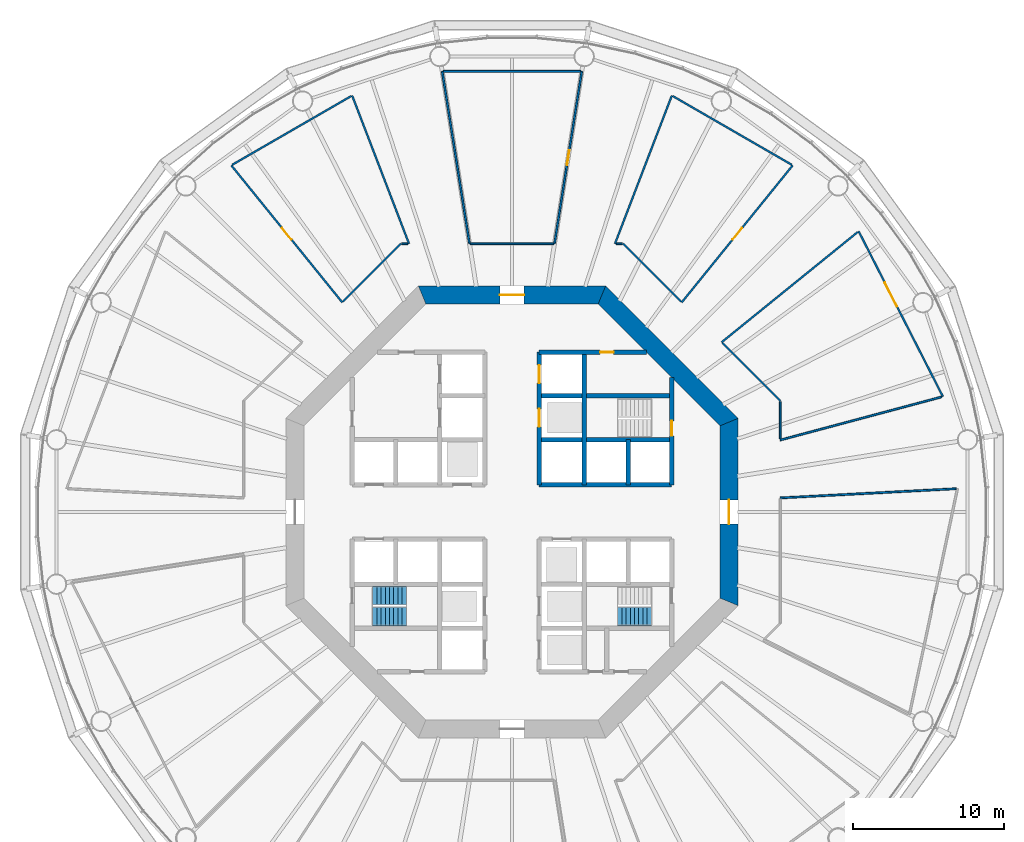
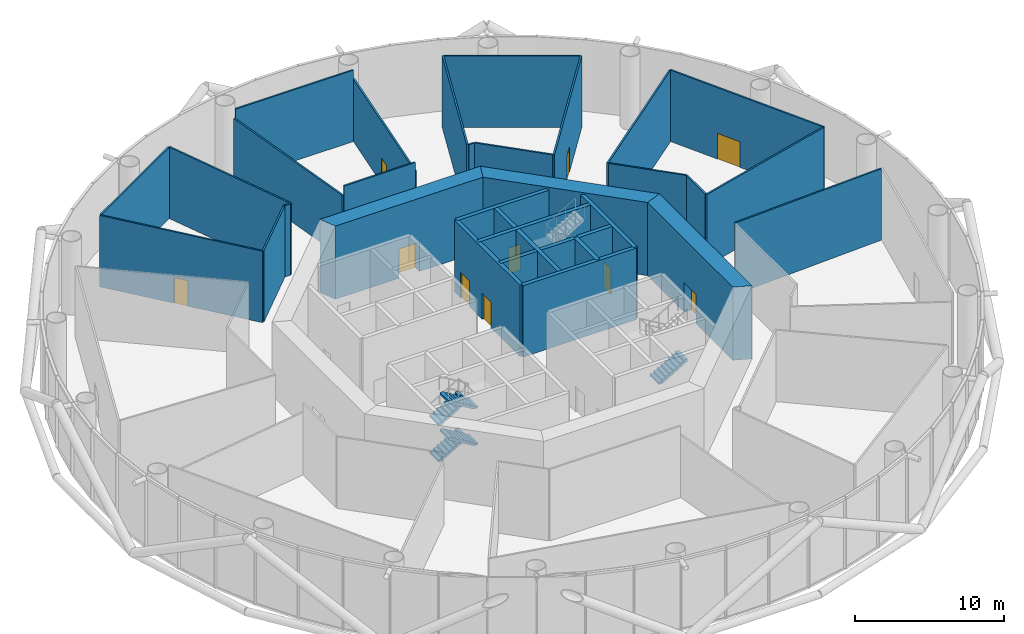
# One storey, part 5 of 14: 31 walls, 10 doors, 5 stair flights, 10 openings, 2 elements without a shape of their own.
"""IFC4 building model written with IfcOpenShell, lengths in metres."""

from ifc_helpers import new_model, si_unit, direction, frame, frame_2d, origin, place, context, subcontext, project, spatial, polyline, rectangle, outline, extrude, material, layer, layer_set, type_object, element, fill, aggregate, save


model = new_model("IFC4")

# Units and contexts
model_context = context("Model", 3, precision=1e-05, world=origin(), true_north=direction((0.0, 1.0)))
body_context = subcontext(model_context, "Body", "Model", "MODEL_VIEW")
ifc_project = project(units=[si_unit("LENGTHUNIT", "METRE"), si_unit("AREAUNIT", "SQUARE_METRE"), si_unit("VOLUMEUNIT", "CUBIC_METRE"), si_unit("PLANEANGLEUNIT", "RADIAN"), si_unit("MASSUNIT", "GRAM", prefix="KILO")], contexts=[model_context])

# Site, building, storey
site_placement = place(None, origin())
site = spatial("IfcSite", under=ifc_project, at=site_placement, CompositionType="ELEMENT")
building_placement = place(site_placement, origin())
building = spatial("IfcBuilding", under=site, at=building_placement, Name="Entoto Ring Tower", CompositionType="ELEMENT")
storey_placement = place(building_placement, frame((0.0, 0.0, 132.0)))
storey = spatial("IfcBuildingStorey", under=building, at=storey_placement, Name="L30", CompositionType="ELEMENT", Elevation=132.0)

# Wall, opening, door
ifc_material_1 = material(Name="Concrete C40/50", Category="concrete")
ifc_layer_1 = layer(ifc_material_1, 0.300048828125)
ifc_layer_set_1 = layer_set([ifc_layer_1], Name="Concrete C40/50")
wall_type_1 = type_object("IfcWallType", Name="Core enclosure wall 300 mm reinforced concrete", PredefinedType="SOLIDWALL", material=ifc_layer_set_1)
wall_1_placement = place(storey_placement, frame((100.60009765625, 81.800048828125, 0.0), z_axis=(0.0, 0.0, 1.0), x_axis=(0.0, 1.0, 0.0)))
wall_1 = element("IfcWall", 1, at=wall_1_placement, inside=storey, type_object=wall_type_1, Name="wall-L30-002", PredefinedType="SOLIDWALL", context=body_context, shape_type="SweptSolid", body=[
    extrude(rectangle(XDim=7.115966796875, YDim=0.300048828125, at=frame_2d((3.55810546875, 0.0))), origin(), (0.0, 0.0, 1.0), 5.85009765625),
])
opening_1_placement = place(wall_1_placement, frame((3.25, 0.0, 0.0)))
opening_1 = element("IfcOpeningElement", 2, at=opening_1_placement, cuts=wall_1, Name="Opening K-52", PredefinedType="OPENING", context=body_context, shape_type="SweptSolid", body=[
    extrude(rectangle(XDim=1.0, YDim=2.10009765625, at=frame_2d((0.5, 1.050048828125))), frame((0.0, 0.16015625, 0.0), z_axis=(0.0, -1.0, 0.0), x_axis=(1.0, 0.0, 0.0)), (0.0, 0.0, 1.0), 0.320068359375),
])
ifc_material_2 = material(Name="Steel door leaf, fire rated", Category="steel")
ifc_layer_2 = layer(ifc_material_2, 0.050048828125)
ifc_layer_set_2 = layer_set([ifc_layer_2], Name="Steel door leaf, fire rated")
door_type_1 = type_object("IfcDoorType", Name="Fire door FD60 1000 x 2100 single leaf", OperationType="NOTDEFINED", PredefinedType="DOOR", material=ifc_layer_set_2)
door_1_placement = place(opening_1_placement, origin())
door_1 = element("IfcDoor", 3, at=door_1_placement, inside=storey, type_object=door_type_1, Name="Door K-52", OperationType="SINGLE_SWING_LEFT", OverallHeight=2.10009765625, OverallWidth=1.0, PredefinedType="DOOR", context=body_context, shape_type="SweptSolid", body=[
    extrude(rectangle(XDim=1.0, YDim=2.10009765625, at=frame_2d((0.5, 1.050048828125))), frame((0.0, 0.02490234375, 0.0), z_axis=(0.0, -1.0, 0.0), x_axis=(1.0, 0.0, 0.0)), (0.0, 0.0, 1.0), 0.050048828125),
])
fill(opening_1, door_1)

# Walls
wall_2_placement = place(storey_placement, frame((97.699951171875, 81.800048828125, 0.0), z_axis=(0.0, 0.0, 1.0), x_axis=(0.0, 1.0, 0.0)))
element("IfcWall", 4, at=wall_2_placement, inside=storey, type_object=wall_type_1, Name="wall-L30-004", PredefinedType="SOLIDWALL", context=body_context, shape_type="SweptSolid", body=[
    extrude(rectangle(XDim=3.0, YDim=0.300048828125, at=frame_2d((1.5, 0.0))), origin(), (0.0, 0.0, 1.0), 5.85009765625),
])
wall_3_placement = place(storey_placement, frame((94.800048828125, 81.800048828125, 0.0), z_axis=(0.0, 0.0, 1.0), x_axis=(0.0, 1.0, 0.0)))
element("IfcWall", 5, at=wall_3_placement, inside=storey, type_object=wall_type_1, Name="wall-L30-007", PredefinedType="SOLIDWALL", context=body_context, shape_type="SweptSolid", body=[
    extrude(rectangle(XDim=8.800048828125, YDim=0.300048828125, at=frame_2d((4.39990234375, 0.0))), origin(), (0.0, 0.0, 1.0), 5.85009765625),
])

# Wall, openings, doors
wall_4_placement = place(storey_placement, frame((91.800048828125, 81.800048828125, 0.0), z_axis=(0.0, 0.0, 1.0), x_axis=(0.0, 1.0, 0.0)))
wall_4 = element("IfcWall", 6, at=wall_4_placement, inside=storey, type_object=wall_type_1, Name="wall-L30-009", PredefinedType="SOLIDWALL", context=body_context, shape_type="SweptSolid", body=[
    extrude(rectangle(XDim=8.800048828125, YDim=0.300048828125, at=frame_2d((4.39990234375, 0.0))), origin(), (0.0, 0.0, 1.0), 5.85009765625),
])
opening_2_placement = place(wall_4_placement, frame((3.85009765625, 0.0, 0.0)))
opening_2 = element("IfcOpeningElement", 7, at=opening_2_placement, cuts=wall_4, Name="Opening LD", PredefinedType="OPENING", context=body_context, shape_type="SweptSolid", body=[
    extrude(rectangle(XDim=1.199951171875, YDim=2.10009765625, at=frame_2d((0.60009765625, 1.050048828125))), frame((0.0, 0.16015625, 0.0), z_axis=(0.0, -1.0, 0.0), x_axis=(1.0, 0.0, 0.0)), (0.0, 0.0, 1.0), 0.320068359375),
])
opening_3_placement = place(wall_4_placement, frame((6.75, 0.0, 0.0)))
opening_3 = element("IfcOpeningElement", 8, at=opening_3_placement, cuts=wall_4, Name="Opening LD", PredefinedType="OPENING", context=body_context, shape_type="SweptSolid", body=[
    extrude(rectangle(XDim=1.199951171875, YDim=2.10009765625, at=frame_2d((0.60009765625, 1.050048828125))), frame((0.0, 0.16015625, 0.0), z_axis=(0.0, -1.0, 0.0), x_axis=(1.0, 0.0, 0.0)), (0.0, 0.0, 1.0), 0.320068359375),
])
ifc_material_3 = material(Name="Steel and glass door leaf", Category="steel")
ifc_layer_3 = layer(ifc_material_3, 0.050048828125)
ifc_layer_set_3 = layer_set([ifc_layer_3], Name="Steel and glass door leaf")
door_type_2 = type_object("IfcDoorType", Name="Landing door 1200 x 2100 sliding", OperationType="DOUBLE_DOOR_SLIDING", PredefinedType="DOOR", material=ifc_layer_set_3)
door_2_placement = place(opening_2_placement, origin())
door_2 = element("IfcDoor", 9, at=door_2_placement, inside=storey, type_object=door_type_2, Name="Landing door LB1-MR", OperationType="SLIDING_TO_RIGHT", OverallHeight=2.10009765625, OverallWidth=1.199951171875, PredefinedType="DOOR", context=body_context, shape_type="SweptSolid", body=[
    extrude(rectangle(XDim=1.199951171875, YDim=2.10009765625, at=frame_2d((0.60009765625, 1.050048828125))), frame((0.0, 0.02490234375, 0.0), z_axis=(0.0, -1.0, 0.0), x_axis=(1.0, 0.0, 0.0)), (0.0, 0.0, 1.0), 0.050048828125),
])
fill(opening_2, door_2)
door_3_placement = place(opening_3_placement, origin())
door_3 = element("IfcDoor", 10, at=door_3_placement, inside=storey, type_object=door_type_2, Name="Landing door SH3", OperationType="SLIDING_TO_RIGHT", OverallHeight=2.10009765625, OverallWidth=1.199951171875, PredefinedType="DOOR", context=body_context, shape_type="SweptSolid", body=[
    extrude(rectangle(XDim=1.199951171875, YDim=2.10009765625, at=frame_2d((0.60009765625, 1.050048828125))), frame((0.0, 0.02490234375, 0.0), z_axis=(0.0, -1.0, 0.0), x_axis=(1.0, 0.0, 0.0)), (0.0, 0.0, 1.0), 0.050048828125),
])
fill(opening_3, door_3)

# Walls
for number, where, z_axis, x_axis, name in (
    (11, (91.800048828125, 81.800048828125, 0.0), (0.0, 0.0, 1.0), (1.0, 0.0, 0.0), "wall-L30-027"),
    (12, (91.800048828125, 84.800048828125, 0.0), (0.0, 0.0, 1.0), (1.0, 0.0, 0.0), "wall-L30-029"),
    (13, (91.800048828125, 87.699951171875, 0.0), (0.0, 0.0, 1.0), (1.0, 0.0, 0.0), "wall-L30-031"),
):
    element("IfcWall", number, at=place(storey_placement, frame(where, z_axis=z_axis, x_axis=x_axis)), inside=storey, type_object=wall_type_1, Name=name, PredefinedType="SOLIDWALL", context=body_context, shape_type="SweptSolid", body=[
        extrude(rectangle(XDim=8.800048828125, YDim=0.300048828125, at=frame_2d((4.39990234375, 0.0))), origin(), (0.0, 0.0, 1.0), 5.85009765625),
    ])

# Wall, opening, door
wall_5_placement = place(storey_placement, frame((91.800048828125, 90.60009765625, 0.0), z_axis=(0.0, 0.0, 1.0), x_axis=(1.0, 0.0, 0.0)))
wall_5 = element("IfcWall", 14, at=wall_5_placement, inside=storey, type_object=wall_type_1, Name="wall-L30-033", PredefinedType="SOLIDWALL", context=body_context, shape_type="SweptSolid", body=[
    extrude(rectangle(XDim=7.115966796875, YDim=0.300048828125, at=frame_2d((3.55810546875, 0.0))), origin(), (0.0, 0.0, 1.0), 5.85009765625),
])
opening_4_placement = place(wall_5_placement, frame((4.050048828125, 0.0, 0.0)))
opening_4 = element("IfcOpeningElement", 15, at=opening_4_placement, cuts=wall_5, Name="Opening K-18", PredefinedType="OPENING", context=body_context, shape_type="SweptSolid", body=[
    extrude(rectangle(XDim=0.89990234375, YDim=2.10009765625, at=frame_2d((0.449951171875, 1.050048828125))), frame((0.0, 0.16015625, 0.0), z_axis=(0.0, -1.0, 0.0), x_axis=(1.0, 0.0, 0.0)), (0.0, 0.0, 1.0), 0.320068359375),
])
ifc_material_4 = material(Name="Steel door leaf, fire rated", Category="steel")
ifc_layer_4 = layer(ifc_material_4, 0.050048828125)
ifc_layer_set_4 = layer_set([ifc_layer_4], Name="Steel door leaf, fire rated")
door_type_3 = type_object("IfcDoorType", Name="Core door 900 x 2100 single leaf", OperationType="NOTDEFINED", PredefinedType="DOOR", material=ifc_layer_set_4)
door_4_placement = place(opening_4_placement, frame((0.89990234375, 0.0, 0.0), z_axis=(0.0, 0.0, 1.0), x_axis=(-1.0, 0.0, 0.0)))
door_4 = element("IfcDoor", 16, at=door_4_placement, inside=storey, type_object=door_type_3, Name="Door K-18", OperationType="SINGLE_SWING_LEFT", OverallHeight=2.10009765625, OverallWidth=0.89990234375, PredefinedType="DOOR", context=body_context, shape_type="SweptSolid", body=[
    extrude(rectangle(XDim=0.89990234375, YDim=2.10009765625, at=frame_2d((0.449951171875, 1.050048828125))), frame((0.0, 0.02490234375, 0.0), z_axis=(0.0, -1.0, 0.0), x_axis=(1.0, 0.0, 0.0)), (0.0, 0.0, 1.0), 0.050048828125),
])
fill(opening_4, door_4)

ifc_material_5 = material(Name="Concrete C60/75", Category="concrete")
ifc_layer_5 = layer(ifc_material_5, 1.199951171875)
ifc_layer_set_5 = layer_set([ifc_layer_5], Name="Concrete C60/75")
wall_type_2 = type_object("IfcWallType", Name="Core shear wall 1200 mm reinforced concrete C60/75", PredefinedType="SHEAR", material=ifc_layer_set_5)
wall_6_placement = place(storey_placement, frame((104.39990234375, 74.035400390625, 0.0), z_axis=(0.0, 0.0, 1.0), x_axis=(0.0, 1.0, 0.0)))
wall_6 = element("IfcWall", 17, at=wall_6_placement, inside=storey, type_object=wall_type_2, Name="wall-L30-core-0", PredefinedType="SHEAR", context=body_context, shape_type="SweptSolid", body=[
    extrude(outline(polyline([(-0.24853515625, -0.60009765625), (12.177734375, -0.60009765625), (11.6806640625, 0.60009765625), (0.24853515625, 0.60009765625), (-0.24853515625, -0.60009765625)])), origin(), (0.0, 0.0, 1.0), 6.0),
])
opening_5_placement = place(wall_6_placement, frame((5.164794921875, 0.0, 0.0)))
opening_5 = element("IfcOpeningElement", 18, at=opening_5_placement, cuts=wall_6, Name="Opening K-01", PredefinedType="OPENING", context=body_context, shape_type="SweptSolid", body=[
    extrude(rectangle(XDim=1.60009765625, YDim=2.39990234375, at=frame_2d((0.800048828125, 1.199951171875))), frame((0.0, 0.60986328125, 0.0), z_axis=(0.0, -1.0, 0.0), x_axis=(1.0, 0.0, 0.0)), (0.0, 0.0, 1.0), 1.219970703125),
])
ifc_material_6 = material(Name="Steel door leaf, fire rated", Category="steel")
ifc_layer_6 = layer(ifc_material_6, 0.050048828125)
ifc_layer_set_6 = layer_set([ifc_layer_6], Name="Steel door leaf, fire rated")
door_type_4 = type_object("IfcDoorType", Name="Entrance door FD60 1600 x 2400 double leaf", OperationType="DOUBLE_DOOR_SINGLE_SWING", PredefinedType="DOOR", material=ifc_layer_set_6)
door_5_placement = place(opening_5_placement, origin())
door_5 = element("IfcDoor", 19, at=door_5_placement, inside=storey, type_object=door_type_4, Name="Entrance door K-01", OperationType="DOUBLE_DOOR_SINGLE_SWING", OverallHeight=2.39990234375, OverallWidth=1.60009765625, PredefinedType="DOOR", context=body_context, shape_type="SweptSolid", body=[
    extrude(rectangle(XDim=1.60009765625, YDim=2.39990234375, at=frame_2d((0.800048828125, 1.199951171875))), frame((0.0, 0.02490234375, 0.0), z_axis=(0.0, -1.0, 0.0), x_axis=(1.0, 0.0, 0.0)), (0.0, 0.0, 1.0), 0.050048828125),
])
fill(opening_5, door_5)

# Wall
wall_7_placement = place(storey_placement, frame((104.39990234375, 85.964599609375, 0.0), z_axis=(0.0, 0.0, 1.0), x_axis=(-0.707106781187, 0.707106781187, 0.0)))
element("IfcWall", 20, at=wall_7_placement, inside=storey, type_object=wall_type_2, Name="wall-L30-core-1", PredefinedType="SHEAR", context=body_context, shape_type="SweptSolid", body=[
    extrude(outline(polyline([(-0.24853515625, -0.60009765625), (12.177734375, -0.60009765625), (11.6806640625, 0.60009765625), (0.24853515625, 0.60009765625), (-0.24853515625, -0.60009765625)])), origin(), (0.0, 0.0, 1.0), 6.0),
])

# Wall, opening, door
wall_8_placement = place(storey_placement, frame((95.964599609375, 94.39990234375, 0.0), z_axis=(0.0, 0.0, 1.0), x_axis=(-1.0, 0.0, 0.0)))
wall_8 = element("IfcWall", 21, at=wall_8_placement, inside=storey, type_object=wall_type_2, Name="wall-L30-core-2", PredefinedType="SHEAR", context=body_context, shape_type="SweptSolid", body=[
    extrude(outline(polyline([(-0.24853515625, -0.60009765625), (12.177734375, -0.60009765625), (11.6806640625, 0.60009765625), (0.24853515625, 0.60009765625), (-0.24853515625, -0.60009765625)])), origin(), (0.0, 0.0, 1.0), 6.0),
])
opening_6_placement = place(wall_8_placement, frame((5.164794921875, 0.0, 0.0)))
opening_6 = element("IfcOpeningElement", 22, at=opening_6_placement, cuts=wall_8, Name="Opening K-02", PredefinedType="OPENING", context=body_context, shape_type="SweptSolid", body=[
    extrude(rectangle(XDim=1.60009765625, YDim=2.39990234375, at=frame_2d((0.800048828125, 1.199951171875))), frame((0.0, 0.60986328125, 0.0), z_axis=(0.0, -1.0, 0.0), x_axis=(1.0, 0.0, 0.0)), (0.0, 0.0, 1.0), 1.219970703125),
])
door_6_placement = place(opening_6_placement, origin())
door_6 = element("IfcDoor", 23, at=door_6_placement, inside=storey, type_object=door_type_4, Name="Entrance door K-02", OperationType="DOUBLE_DOOR_SINGLE_SWING", OverallHeight=2.39990234375, OverallWidth=1.60009765625, PredefinedType="DOOR", context=body_context, shape_type="SweptSolid", body=[
    extrude(rectangle(XDim=1.60009765625, YDim=2.39990234375, at=frame_2d((0.800048828125, 1.199951171875))), frame((0.0, 0.02490234375, 0.0), z_axis=(0.0, -1.0, 0.0), x_axis=(1.0, 0.0, 0.0)), (0.0, 0.0, 1.0), 0.050048828125),
])
fill(opening_6, door_6)

ifc_material_7 = material(Name="Fire-resisting plasterboard on steel studs", Category="steel")
ifc_layer_7 = layer(ifc_material_7, 0.125)
ifc_layer_set_7 = layer_set([ifc_layer_7], Name="Fire-resisting plasterboard on steel studs")
wall_type_3 = type_object("IfcWallType", Name="Corridor wall 125 mm one-hour plasterboard on steel studs", PredefinedType="PARTITIONING", material=ifc_layer_set_7)
wall_9_placement = place(storey_placement, frame((118.59130859375, 87.660888671875, 0.0), z_axis=(0.0, 0.0, 1.0), x_axis=(-0.453984315662, 0.891009675106, 0.0)))
wall_9 = element("IfcWall", 24, at=wall_9_placement, inside=storey, type_object=wall_type_3, Name="partition-L30-006", PredefinedType="PARTITIONING", context=body_context, shape_type="SweptSolid", body=[
    extrude(rectangle(XDim=12.30859375, YDim=0.125, at=frame_2d((6.154296875, 0.0))), origin(), (0.0, 0.0, 1.0), 5.85009765625),
])
opening_7_placement = place(wall_9_placement, frame((6.6953125, 0.0, 0.0)))
opening_7 = element("IfcOpeningElement", 25, at=opening_7_placement, cuts=wall_9, Name="Opening A13-D01", PredefinedType="OPENING", context=body_context, shape_type="SweptSolid", body=[
    extrude(rectangle(XDim=1.800048828125, YDim=2.10009765625, at=frame_2d((0.89990234375, 1.050048828125))), frame((0.0, 0.072509765625, 0.0), z_axis=(0.0, -1.0, 0.0), x_axis=(1.0, 0.0, 0.0)), (0.0, 0.0, 1.0), 0.14501953125),
])
ifc_material_8 = material(Name="Fire-resisting timber door set", Category="wood")
door_type_5 = type_object("IfcDoorType", Name="Door 1800 x 2100 double leaf FD30S fire door", OperationType="DOUBLE_DOOR_SINGLE_SWING", PredefinedType="DOOR", material=ifc_material_8)
door_7_placement = place(opening_7_placement, origin())
door_7 = element("IfcDoor", 26, at=door_7_placement, inside=storey, type_object=door_type_5, Name="Door A13-D01", OperationType="DOUBLE_DOOR_SINGLE_SWING", OverallHeight=2.10009765625, OverallWidth=1.800048828125, PredefinedType="DOOR", context=body_context, shape_type="SweptSolid", body=[
    extrude(rectangle(XDim=1.800048828125, YDim=2.10009765625, at=frame_2d((0.89990234375, 1.050048828125))), frame((0.0, 0.02490234375, 0.0), z_axis=(0.0, -1.0, 0.0), x_axis=(1.0, 0.0, 0.0)), (0.0, 0.0, 1.0), 0.050048828125),
])
fill(opening_7, door_7)

# Wall
wall_10_placement = place(storey_placement, frame((107.800048828125, 80.932861328125, 0.0), z_axis=(0.0, 0.0, 1.0), x_axis=(0.998629396958, 0.052338585487, 0.0)))
element("IfcWall", 27, at=wall_10_placement, inside=storey, type_object=wall_type_3, Name="partition-L30-009", PredefinedType="PARTITIONING", context=body_context, shape_type="SweptSolid", body=[
    extrude(rectangle(XDim=11.6943359375, YDim=0.125, at=frame_2d((5.84716796875, 0.0))), origin(), (0.0, 0.0, 1.0), 5.85009765625),
])

# Wall, opening, door
wall_11_placement = place(storey_placement, frame((78.736328125, 93.909423828125, 0.0), z_axis=(0.0, 0.0, 1.0), x_axis=(-0.62932485855, 0.777142343725, 0.0)))
wall_11 = element("IfcWall", 28, at=wall_11_placement, inside=storey, type_object=wall_type_3, Name="partition-L30-011", PredefinedType="PARTITIONING", context=body_context, shape_type="SweptSolid", body=[
    extrude(rectangle(XDim=11.701904296875, YDim=0.125, at=frame_2d((5.85107421875, 0.0))), origin(), (0.0, 0.0, 1.0), 5.85009765625),
])
opening_8_placement = place(wall_11_placement, frame((5.35107421875, 0.0, 0.0)))
opening_8 = element("IfcOpeningElement", 29, at=opening_8_placement, cuts=wall_11, Name="Opening A13-D04", PredefinedType="OPENING", context=body_context, shape_type="SweptSolid", body=[
    extrude(rectangle(XDim=1.0, YDim=2.10009765625, at=frame_2d((0.5, 1.050048828125))), frame((0.0, 0.072509765625, 0.0), z_axis=(0.0, -1.0, 0.0), x_axis=(1.0, 0.0, 0.0)), (0.0, 0.0, 1.0), 0.14501953125),
])
ifc_material_9 = material(Name="Fire-resisting timber door set", Category="wood")
door_type_6 = type_object("IfcDoorType", Name="Door 1000 x 2100 single leaf FD30S fire door", OperationType="NOTDEFINED", PredefinedType="DOOR", material=ifc_material_9)
door_8_placement = place(opening_8_placement, origin())
door_8 = element("IfcDoor", 30, at=door_8_placement, inside=storey, type_object=door_type_6, Name="Door A13-D04", OperationType="SINGLE_SWING_RIGHT", OverallHeight=2.10009765625, OverallWidth=1.0, PredefinedType="DOOR", context=body_context, shape_type="SweptSolid", body=[
    extrude(rectangle(XDim=1.0, YDim=2.10009765625, at=frame_2d((0.5, 1.050048828125))), frame((0.0, 0.02490234375, 0.0), z_axis=(0.0, -1.0, 0.0), x_axis=(1.0, 0.0, 0.0)), (0.0, 0.0, 1.0), 0.050048828125),
])
fill(opening_8, door_8)

wall_12_placement = place(storey_placement, frame((101.263671875, 93.909423828125, 0.0), z_axis=(0.0, 0.0, 1.0), x_axis=(0.62932485855, 0.777142343725, 0.0)))
wall_12 = element("IfcWall", 31, at=wall_12_placement, inside=storey, type_object=wall_type_3, Name="partition-L30-012", PredefinedType="PARTITIONING", context=body_context, shape_type="SweptSolid", body=[
    extrude(rectangle(XDim=11.701904296875, YDim=0.125, at=frame_2d((5.85107421875, 0.0))), origin(), (0.0, 0.0, 1.0), 5.85009765625),
])
opening_9_placement = place(wall_12_placement, frame((5.35107421875, 0.0, 0.0)))
opening_9 = element("IfcOpeningElement", 32, at=opening_9_placement, cuts=wall_12, Name="Opening A13-D02", PredefinedType="OPENING", context=body_context, shape_type="SweptSolid", body=[
    extrude(rectangle(XDim=1.0, YDim=2.10009765625, at=frame_2d((0.5, 1.050048828125))), frame((0.0, 0.072509765625, 0.0), z_axis=(0.0, -1.0, 0.0), x_axis=(1.0, 0.0, 0.0)), (0.0, 0.0, 1.0), 0.14501953125),
])
door_9_placement = place(opening_9_placement, frame((1.0, 0.0, 0.0), z_axis=(0.0, 0.0, 1.0), x_axis=(-1.0, 0.0, 0.0)))
door_9 = element("IfcDoor", 33, at=door_9_placement, inside=storey, type_object=door_type_6, Name="Door A13-D02", OperationType="SINGLE_SWING_LEFT", OverallHeight=2.10009765625, OverallWidth=1.0, PredefinedType="DOOR", context=body_context, shape_type="SweptSolid", body=[
    extrude(rectangle(XDim=1.0, YDim=2.10009765625, at=frame_2d((0.5, 1.050048828125))), frame((0.0, 0.02490234375, 0.0), z_axis=(0.0, -1.0, 0.0), x_axis=(1.0, 0.0, 0.0)), (0.0, 0.0, 1.0), 0.050048828125),
])
fill(opening_9, door_9)

# Walls
wall_13_placement = place(storey_placement, frame((103.909423828125, 91.263671875, 0.0), z_axis=(0.0, 0.0, 1.0), x_axis=(0.777148512501, 0.62931724076, 0.0)))
element("IfcWall", 34, at=wall_13_placement, inside=storey, type_object=wall_type_3, Name="partition-L30-013", PredefinedType="PARTITIONING", context=body_context, shape_type="SweptSolid", body=[
    extrude(rectangle(XDim=11.624755859375, YDim=0.125, at=frame_2d((5.8125, 0.0))), origin(), (0.0, 0.0, 1.0), 5.85009765625),
])
wall_14_placement = place(storey_placement, frame((107.800048828125, 84.76953125, 0.0), z_axis=(0.0, 0.0, 1.0), x_axis=(0.965926737816, 0.258815643215, 0.0)))
element("IfcWall", 35, at=wall_14_placement, inside=storey, type_object=wall_type_3, Name="partition-L30-020", PredefinedType="PARTITIONING", context=body_context, shape_type="SweptSolid", body=[
    extrude(rectangle(XDim=11.094970703125, YDim=0.125, at=frame_2d((5.54736328125, 0.0))), origin(), (0.0, 0.0, 1.0), 5.85009765625),
])
for number, where, z_axis, x_axis, name in (
    (36, (83.167236328125, 97.800048828125, 0.0), (0.0, 0.0, 1.0), (-0.358367074225, 0.933580762501, 0.0), "partition-L30-022"),
    (37, (96.832763671875, 97.800048828125, 0.0), (0.0, 0.0, 1.0), (0.358367074225, 0.933580762501, 0.0), "partition-L30-023"),
):
    element("IfcWall", number, at=place(storey_placement, frame(where, z_axis=z_axis, x_axis=x_axis)), inside=storey, type_object=wall_type_3, Name=name, PredefinedType="PARTITIONING", context=body_context, shape_type="SweptSolid", body=[
        extrude(rectangle(XDim=10.53369140625, YDim=0.125, at=frame_2d((5.266845703125, 0.0))), origin(), (0.0, 0.0, 1.0), 5.85009765625),
    ])
for number, where, z_axis, x_axis, name in (
    (38, (71.435302734375, 103.0400390625, 0.0), (0.0, 0.0, 1.0), (0.866030811405, 0.49999063361, 0.0), "partition-L30-026"),
    (39, (108.564697265625, 103.0400390625, 0.0), (0.0, 0.0, 1.0), (-0.866030811405, 0.49999063361, 0.0), "partition-L30-027"),
):
    element("IfcWall", number, at=place(storey_placement, frame(where, z_axis=z_axis, x_axis=x_axis)), inside=storey, type_object=wall_type_3, Name=name, PredefinedType="PARTITIONING", context=body_context, shape_type="SweptSolid", body=[
        extrude(rectangle(XDim=9.114990234375, YDim=0.125, at=frame_2d((4.5576171875, 0.0))), origin(), (0.0, 0.0, 1.0), 5.85009765625),
    ])
wall_15_placement = place(storey_placement, frame((85.442626953125, 109.235595703125, 0.0), z_axis=(0.0, 0.0, 1.0), x_axis=(1.0, 0.0, 0.0)))
element("IfcWall", 40, at=wall_15_placement, inside=storey, type_object=wall_type_3, Name="partition-L30-028", PredefinedType="PARTITIONING", context=body_context, shape_type="SweptSolid", body=[
    extrude(rectangle(XDim=9.11474609375, YDim=0.125, at=frame_2d((4.557373046875, 0.0))), origin(), (0.0, 0.0, 1.0), 5.85009765625),
])
wall_16_placement = place(storey_placement, frame((87.242431640625, 97.800048828125, 0.0), z_axis=(0.0, 0.0, 1.0), x_axis=(1.0, 0.0, 0.0)))
element("IfcWall", 41, at=wall_16_placement, inside=storey, type_object=wall_type_3, Name="partition-L30-033", PredefinedType="PARTITIONING", context=body_context, shape_type="SweptSolid", body=[
    extrude(rectangle(XDim=5.51513671875, YDim=0.125, at=frame_2d((2.757568359375, 0.0))), origin(), (0.0, 0.0, 1.0), 5.85009765625),
])
for number, where, z_axis, x_axis, name in (
    (42, (78.785400390625, 93.95849609375, 0.0), (0.0, 0.0, 1.0), (0.707106781187, 0.707106781187, 0.0), "partition-L30-035"),
    (43, (101.214599609375, 93.95849609375, 0.0), (0.0, 0.0, 1.0), (-0.707106781187, 0.707106781187, 0.0), "partition-L30-036"),
    (44, (107.800048828125, 87.373046875, 0.0), (0.0, 0.0, 1.0), (-0.707106781187, 0.707106781187, 0.0), "partition-L30-037"),
):
    element("IfcWall", number, at=place(storey_placement, frame(where, z_axis=z_axis, x_axis=x_axis)), inside=storey, type_object=wall_type_3, Name=name, PredefinedType="PARTITIONING", context=body_context, shape_type="SweptSolid", body=[
        extrude(rectangle(XDim=5.432861328125, YDim=0.125, at=frame_2d((2.71630859375, 0.0))), origin(), (0.0, 0.0, 1.0), 5.85009765625),
    ])
wall_17_placement = place(storey_placement, frame((107.800048828125, 84.850830078125, 0.0), z_axis=(0.0, 0.0, 1.0), x_axis=(0.0, 1.0, 0.0)))
element("IfcWall", 45, at=wall_17_placement, inside=storey, type_object=wall_type_3, Name="partition-L30-040", PredefinedType="PARTITIONING", context=body_context, shape_type="SweptSolid", body=[
    extrude(rectangle(XDim=2.478271484375, YDim=0.125, at=frame_2d((1.2392578125, 0.0))), origin(), (0.0, 0.0, 1.0), 5.85009765625),
])
for number, where, z_axis, x_axis, name in (
    (46, (82.6708984375, 97.800048828125, 0.0), (0.0, 0.0, 1.0), (1.0, 0.0, 0.0), "partition-L30-042"),
    (47, (96.923583984375, 97.800048828125, 0.0), (0.0, 0.0, 1.0), (1.0, 0.0, 0.0), "partition-L30-044"),
):
    element("IfcWall", number, at=place(storey_placement, frame(where, z_axis=z_axis, x_axis=x_axis)), inside=storey, type_object=wall_type_3, Name=name, PredefinedType="PARTITIONING", context=body_context, shape_type="SweptSolid", body=[
        extrude(rectangle(XDim=0.405517578125, YDim=0.125, at=frame_2d((0.20263671875, 0.0))), origin(), (0.0, 0.0, 1.0), 5.85009765625),
    ])
ifc_material_10 = material(Name="Fire-resisting plasterboard on steel studs", Category="steel")
ifc_layer_8 = layer(ifc_material_10, 0.125)
ifc_layer_set_8 = layer_set([ifc_layer_8], Name="Fire-resisting plasterboard on steel studs")
wall_type_4 = type_object("IfcWallType", Name="Corridor wall 125 mm one-hour plasterboard on steel studs, 5097 mm high", PredefinedType="PARTITIONING", material=ifc_layer_set_8)
wall_18_placement = place(storey_placement, frame((87.180908203125, 97.800048828125, 0.0), z_axis=(0.0, 0.0, 1.0), x_axis=(-0.156460647203, 0.987684193392, 0.0)))
element("IfcWall", 48, at=wall_18_placement, inside=storey, type_object=wall_type_4, Name="partition-L30-016", PredefinedType="PARTITIONING", context=body_context, shape_type="SweptSolid", body=[
    extrude(rectangle(XDim=11.578125, YDim=0.125, at=frame_2d((5.7890625, 0.0))), origin(), (0.0, 0.0, 1.0), 5.096923828125),
])

# Wall, opening, door
wall_19_placement = place(storey_placement, frame((92.819091796875, 97.800048828125, 0.0), z_axis=(0.0, 0.0, 1.0), x_axis=(0.156460647203, 0.987684193392, 0.0)))
wall_19 = element("IfcWall", 49, at=wall_19_placement, inside=storey, type_object=wall_type_4, Name="partition-L30-017", PredefinedType="PARTITIONING", context=body_context, shape_type="SweptSolid", body=[
    extrude(rectangle(XDim=11.578125, YDim=0.125, at=frame_2d((5.7890625, 0.0))), origin(), (0.0, 0.0, 1.0), 5.096923828125),
])
opening_10_placement = place(wall_19_placement, frame((5.2890625, 0.0, 0.0)))
opening_10 = element("IfcOpeningElement", 50, at=opening_10_placement, cuts=wall_19, Name="Opening A13-D03", PredefinedType="OPENING", context=body_context, shape_type="SweptSolid", body=[
    extrude(rectangle(XDim=1.0, YDim=2.10009765625, at=frame_2d((0.5, 1.050048828125))), frame((0.0, 0.072509765625, 0.0), z_axis=(0.0, -1.0, 0.0), x_axis=(1.0, 0.0, 0.0)), (0.0, 0.0, 1.0), 0.14501953125),
])
door_10_placement = place(opening_10_placement, frame((1.0, 0.0, 0.0), z_axis=(0.0, 0.0, 1.0), x_axis=(-1.0, 0.0, 0.0)))
door_10 = element("IfcDoor", 51, at=door_10_placement, inside=storey, type_object=door_type_6, Name="Door A13-D03", OperationType="SINGLE_SWING_LEFT", OverallHeight=2.10009765625, OverallWidth=1.0, PredefinedType="DOOR", context=body_context, shape_type="SweptSolid", body=[
    extrude(rectangle(XDim=1.0, YDim=2.10009765625, at=frame_2d((0.5, 1.050048828125))), frame((0.0, 0.02490234375, 0.0), z_axis=(0.0, -1.0, 0.0), x_axis=(1.0, 0.0, 0.0)), (0.0, 0.0, 1.0), 0.050048828125),
])
fill(opening_10, door_10)

# Stair, stair flights
ifc_material_11 = material(Name="Concrete C40/50", Category="concrete")
stair_type = type_object("IfcStairType", Name="Exit stair 1200 mm dog-leg reinforced concrete", PredefinedType="HALF_TURN_STAIR", material=ifc_material_11)
stair_1_placement = place(storey_placement, origin())
stair_1 = element("IfcStair", 52, at=stair_1_placement, inside=storey, type_object=stair_type, Name="Exit stair 2", PredefinedType="HALF_TURN_STAIR")
ifc_material_12 = material(Name="Concrete C40/50", Category="concrete")
stair_flight_type = type_object("IfcStairFlightType", Name="Stair flight 1200 mm reinforced concrete", PredefinedType="STRAIGHT", material=ifc_material_12)
stair_flight_1_placement = place(storey_placement, frame((80.75, 74.449951171875, 0.0), z_axis=(0.0, 0.0, 1.0), x_axis=(1.0, 0.0, 0.0)))
stair_flight_1 = element("IfcStairFlight", 53, at=stair_flight_1_placement, type_object=stair_flight_type, Name="ST2 flight 1", NumberOfRisers=9, NumberOfTreads=8, PredefinedType="STRAIGHT", RiserHeight=0.166666667, TreadLength=0.28, context=body_context, shape_type="SweptSolid", body=[
    extrude(outline(polyline([(0.0, 0.0), (0.0, 0.166748046875), (0.280029296875, 0.166748046875), (0.280029296875, 0.333251953125), (0.56005859375, 0.333251953125), (0.56005859375, 0.5), (0.840087890625, 0.5), (0.840087890625, 0.666748046875), (1.1201171875, 0.666748046875), (1.1201171875, 0.833251953125), (1.39990234375, 0.833251953125), (1.39990234375, 1.0), (1.679931640625, 1.0), (1.679931640625, 1.166748046875), (1.9599609375, 1.166748046875), (1.9599609375, 1.333251953125), (2.239990234375, 1.333251953125), (2.239990234375, 1.5), (2.239990234375, 1.158935546875), (0.29296875, 0.0), (0.0, 0.0)])), frame((0.0, 0.60009765625, 0.0), z_axis=(0.0, -1.0, 0.0), x_axis=(1.0, 0.0, 0.0)), (0.0, 0.0, 1.0), 1.199951171875),
])
stair_flight_2_placement = place(storey_placement, frame((82.989990234375, 73.050048828125, 1.5), z_axis=(0.0, 0.0, 1.0), x_axis=(-1.0, 0.0, 0.0)))
stair_flight_2 = element("IfcStairFlight", 54, at=stair_flight_2_placement, type_object=stair_flight_type, Name="ST2 flight 2", NumberOfRisers=9, NumberOfTreads=8, PredefinedType="STRAIGHT", RiserHeight=0.166666667, TreadLength=0.28, context=body_context, shape_type="SweptSolid", body=[
    extrude(outline(polyline([(0.0, 0.0), (0.0, 0.166748046875), (0.280029296875, 0.166748046875), (0.280029296875, 0.333251953125), (0.56005859375, 0.333251953125), (0.56005859375, 0.5), (0.840087890625, 0.5), (0.840087890625, 0.666748046875), (1.1201171875, 0.666748046875), (1.1201171875, 0.833251953125), (1.39990234375, 0.833251953125), (1.39990234375, 1.0), (1.679931640625, 1.0), (1.679931640625, 1.166748046875), (1.9599609375, 1.166748046875), (1.9599609375, 1.333251953125), (2.239990234375, 1.333251953125), (2.239990234375, 1.5), (2.239990234375, 1.158935546875), (0.29296875, 0.0), (0.0, 0.0)])), frame((0.0, 0.60009765625, 0.0), z_axis=(0.0, -1.0, 0.0), x_axis=(1.0, 0.0, 0.0)), (0.0, 0.0, 1.0), 1.199951171875),
])
stair_flight_3_placement = place(storey_placement, frame((80.75, 74.449951171875, 3.0), z_axis=(0.0, 0.0, 1.0), x_axis=(1.0, 0.0, 0.0)))
stair_flight_3 = element("IfcStairFlight", 55, at=stair_flight_3_placement, type_object=stair_flight_type, Name="ST2 flight 3", NumberOfRisers=9, NumberOfTreads=8, PredefinedType="STRAIGHT", RiserHeight=0.166666667, TreadLength=0.28, context=body_context, shape_type="SweptSolid", body=[
    extrude(outline(polyline([(0.0, 0.0), (0.0, 0.166748046875), (0.280029296875, 0.166748046875), (0.280029296875, 0.333251953125), (0.56005859375, 0.333251953125), (0.56005859375, 0.5), (0.840087890625, 0.5), (0.840087890625, 0.666748046875), (1.1201171875, 0.666748046875), (1.1201171875, 0.833251953125), (1.39990234375, 0.833251953125), (1.39990234375, 1.0), (1.679931640625, 1.0), (1.679931640625, 1.166748046875), (1.9599609375, 1.166748046875), (1.9599609375, 1.333251953125), (2.239990234375, 1.333251953125), (2.239990234375, 1.5), (2.239990234375, 1.158935546875), (0.29296875, 0.0), (0.0, 0.0)])), frame((0.0, 0.60009765625, 0.0), z_axis=(0.0, -1.0, 0.0), x_axis=(1.0, 0.0, 0.0)), (0.0, 0.0, 1.0), 1.199951171875),
])
stair_flight_4_placement = place(storey_placement, frame((82.989990234375, 73.050048828125, 4.5), z_axis=(0.0, 0.0, 1.0), x_axis=(-1.0, 0.0, 0.0)))
stair_flight_4 = element("IfcStairFlight", 56, at=stair_flight_4_placement, type_object=stair_flight_type, Name="ST2 flight 4", NumberOfRisers=9, NumberOfTreads=8, PredefinedType="STRAIGHT", RiserHeight=0.166666667, TreadLength=0.28, context=body_context, shape_type="SweptSolid", body=[
    extrude(outline(polyline([(0.0, 0.0), (0.0, 0.166748046875), (0.280029296875, 0.166748046875), (0.280029296875, 0.333251953125), (0.56005859375, 0.333251953125), (0.56005859375, 0.5), (0.840087890625, 0.5), (0.840087890625, 0.666748046875), (1.1201171875, 0.666748046875), (1.1201171875, 0.833251953125), (1.39990234375, 0.833251953125), (1.39990234375, 1.0), (1.679931640625, 1.0), (1.679931640625, 1.166748046875), (1.9599609375, 1.166748046875), (1.9599609375, 1.333251953125), (2.239990234375, 1.333251953125), (2.239990234375, 1.5), (2.239990234375, 1.158935546875), (0.29296875, 0.0), (0.0, 0.0)])), frame((0.0, 0.60009765625, 0.0), z_axis=(0.0, -1.0, 0.0), x_axis=(1.0, 0.0, 0.0)), (0.0, 0.0, 1.0), 1.199951171875),
])
aggregate(stair_1, [stair_flight_1, stair_flight_2, stair_flight_3, stair_flight_4])

# Stair, stair flight
stair_2_placement = place(storey_placement, origin())
stair_2 = element("IfcStair", 57, at=stair_2_placement, inside=storey, type_object=stair_type, Name="Exit stair 3", PredefinedType="HALF_TURN_STAIR")
stair_flight_5_placement = place(storey_placement, frame((97.010009765625, 73.050048828125, 1.5), z_axis=(0.0, 0.0, 1.0), x_axis=(1.0, 0.0, 0.0)))
stair_flight_5 = element("IfcStairFlight", 58, at=stair_flight_5_placement, type_object=stair_flight_type, Name="ST3 flight 2", NumberOfRisers=9, NumberOfTreads=8, PredefinedType="STRAIGHT", RiserHeight=0.166666667, TreadLength=0.28, context=body_context, shape_type="SweptSolid", body=[
    extrude(outline(polyline([(0.0, 0.0), (0.0, 0.166748046875), (0.280029296875, 0.166748046875), (0.280029296875, 0.333251953125), (0.56005859375, 0.333251953125), (0.56005859375, 0.5), (0.840087890625, 0.5), (0.840087890625, 0.666748046875), (1.1201171875, 0.666748046875), (1.1201171875, 0.833251953125), (1.39990234375, 0.833251953125), (1.39990234375, 1.0), (1.679931640625, 1.0), (1.679931640625, 1.166748046875), (1.9599609375, 1.166748046875), (1.9599609375, 1.333251953125), (2.239990234375, 1.333251953125), (2.239990234375, 1.5), (2.239990234375, 1.158935546875), (0.29296875, 0.0), (0.0, 0.0)])), frame((0.0, 0.60009765625, 0.0), z_axis=(0.0, -1.0, 0.0), x_axis=(1.0, 0.0, 0.0)), (0.0, 0.0, 1.0), 1.199951171875),
])
aggregate(stair_2, [stair_flight_5])

save(model, "model.ifc")
